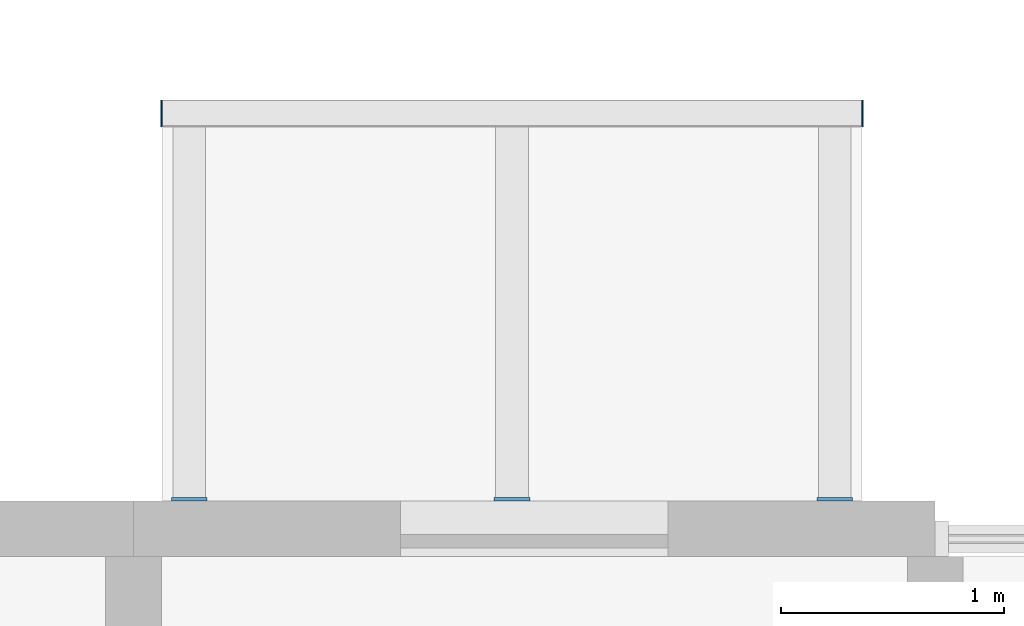
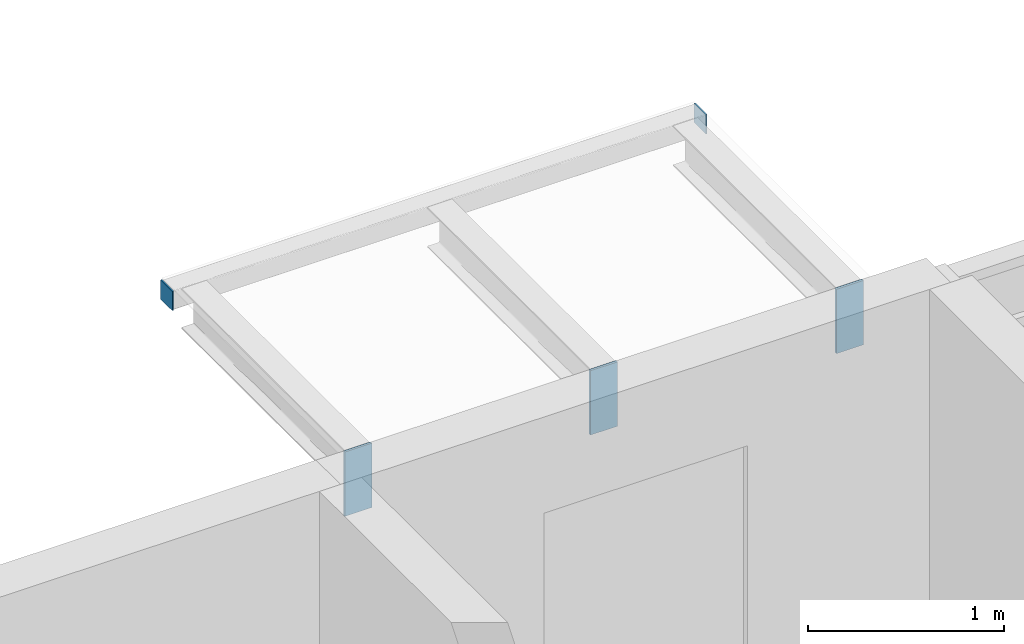
# One storey, part 77 of 115: 5 discrete accessories.
"""IFC4 building model written with IfcOpenShell, lengths in metres."""

from ifc_helpers import new_model, si_unit, direction, frame, origin, origin_2d, place, context, subcontext, project, spatial, rectangle, extrude, material, layer, layer_set, type_object, element, save


model = new_model("IFC4")

# Units and contexts
model_context = context("Model", 3, precision=1e-05, world=origin(), true_north=direction((0.0, 1.0)))
body_context = subcontext(model_context, "Body", "Model", "MODEL_VIEW")
ifc_project = project(units=[si_unit("LENGTHUNIT", "METRE"), si_unit("AREAUNIT", "SQUARE_METRE"), si_unit("VOLUMEUNIT", "CUBIC_METRE"), si_unit("PLANEANGLEUNIT", "RADIAN"), si_unit("MASSUNIT", "GRAM", prefix="KILO")], contexts=[model_context])

# Site, building, storey
site_placement = place(None, origin())
site = spatial("IfcSite", under=ifc_project, at=site_placement, CompositionType="ELEMENT")
building_placement = place(site_placement, origin())
building = spatial("IfcBuilding", under=site, at=building_placement, Name="Ridgestep Commons", CompositionType="ELEMENT")
storey_placement = place(building_placement, frame((0.0, 0.0, 6.0)))
storey = spatial("IfcBuildingStorey", under=building, at=storey_placement, Name="L02", CompositionType="ELEMENT", Elevation=6.0)

# Discrete accessories
ifc_material_1 = material(Name="Weathering steel S355J2W", Category="steel")
ifc_layer_1 = layer(ifc_material_1, 0.014892578125)
ifc_layer_set_1 = layer_set([ifc_layer_1], Name="Tray bracket plate 15")
discrete_accessory_type_1 = type_object("IfcDiscreteAccessoryType", Name="Tray bracket plate 15", PredefinedType="BRACKET", material=ifc_layer_set_1)
for number, where, z_axis, x_axis, name in (
    (1, (36.25, 23.007568359375, 2.588623046875), (0.0, 0.0, 1.0), (1.0, 0.0, 0.0), "Tray bracket A2T3-03.1"),
    (2, (37.699951171875, 23.007568359375, 2.588623046875), (0.0, 0.0, 1.0), (1.0, 0.0, 0.0), "Tray bracket A2T3-03.2"),
    (3, (39.14990234375, 23.007568359375, 2.588623046875), (0.0, 0.0, 1.0), (1.0, 0.0, 0.0), "Tray bracket A2T3-03.3"),
):
    element("IfcDiscreteAccessory", number, at=place(storey_placement, frame(where, z_axis=z_axis, x_axis=x_axis)), inside=storey, type_object=discrete_accessory_type_1, Name=name, PredefinedType="BRACKET", context=body_context, shape_type="SweptSolid", body=[
        extrude(rectangle(XDim=0.159912109375, YDim=0.014892578125, at=origin_2d()), origin(), (0.0, 0.0, 1.0), 0.4013671875),
    ])
ifc_material_2 = material(Name="Weathering steel S355J2W", Category="steel")
ifc_layer_2 = layer(ifc_material_2, 0.008056640625)
ifc_layer_set_2 = layer_set([ifc_layer_2], Name="Tray edge member end plate 120 x 120 x 8")
discrete_accessory_type_2 = type_object("IfcDiscreteAccessoryType", Name="Tray edge member end plate 120 x 120 x 8", PredefinedType="BRACKET", material=ifc_layer_set_2)
for number, where, z_axis, x_axis, name in (
    (4, (36.1259765625, 24.739990234375, 2.869873046875), (0.0, 0.0, 1.0), (1.0, 0.0, 0.0), "Tray edge member end plate A2T3-03 west"),
    (5, (39.27392578125, 24.739990234375, 2.869873046875), (0.0, 0.0, 1.0), (1.0, 0.0, 0.0), "Tray edge member end plate A2T3-03 east"),
):
    element("IfcDiscreteAccessory", number, at=place(storey_placement, frame(where, z_axis=z_axis, x_axis=x_axis)), inside=storey, type_object=discrete_accessory_type_2, Name=name, PredefinedType="BRACKET", context=body_context, shape_type="SweptSolid", body=[
        extrude(rectangle(XDim=0.008056640625, YDim=0.1201171875, at=origin_2d()), origin(), (0.0, 0.0, 1.0), 0.1201171875),
    ])

save(model, "model.ifc")
